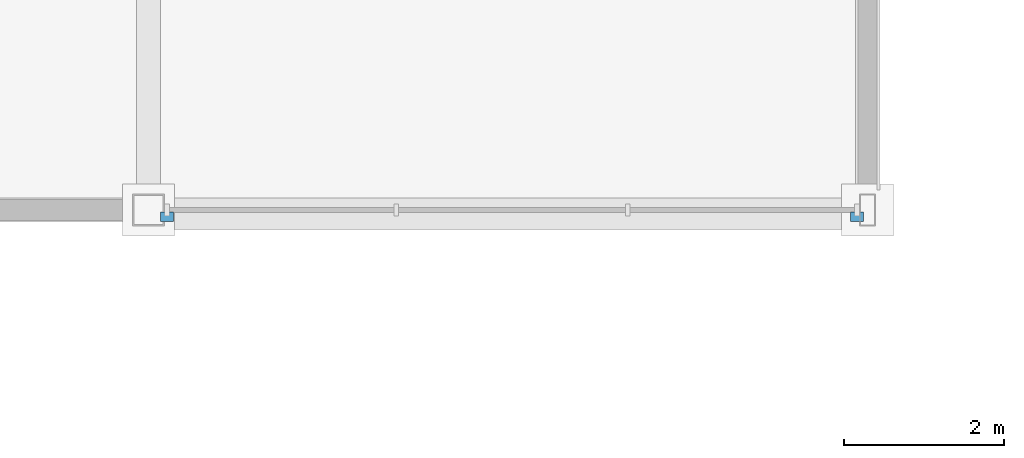
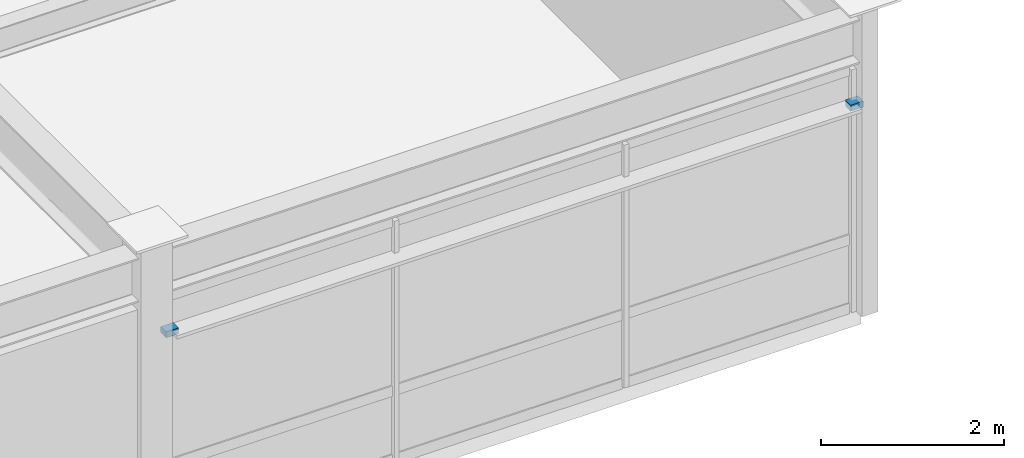
# One storey, part 54 of 70: 2 discrete accessories.
"""IFC4 building model written with IfcOpenShell, lengths in metres."""

import ifcopenshell
import ifcopenshell.guid

model = None  # the IFC model being written
_history = None  # IfcOwnerHistory: only IFC2X3 demands one
_inside = {}  # id of a spatial element -> (the spatial element, [elements in it])
_under = {}  # id of a project, library or spatial element -> (it, [spatial elements below it])
_declared = {}  # id of a project -> (the project, [libraries it declares])
_typed = {}  # id of a type object -> (the type object, [elements of that type])
_made_of = {}  # id of a material, layer set ... -> (it, [elements and type objects made of it])


def new_model(schema):
    """Start an empty IFC model of exactly this schema.

    Asked for "IFC4X3", IfcOpenShell would pick the latest addendum, in which some entities
    have other attributes; the version numbers below select the first issue.
    IFC2X3 requires an IfcOwnerHistory on every rooted entity: one is made here for all.
    """
    global model, _history
    if schema == "IFC4X3":
        model = ifcopenshell.file(schema_version=(4, 3, 0, 0))
    else:
        model = ifcopenshell.file(schema=schema)
    _inside.clear()
    _under.clear()
    _declared.clear()
    _typed.clear()
    _made_of.clear()
    _history = None
    if model.schema == "IFC2X3":
        org = make("IfcOrganization", Name="unknown")
        user = make(
            "IfcPersonAndOrganization",
            ThePerson=make("IfcPerson", FamilyName="unknown"),
            TheOrganization=org,
        )
        app = make(
            "IfcApplication",
            ApplicationDeveloper=org,
            Version="unknown",
            ApplicationFullName="unknown",
            ApplicationIdentifier="unknown",
        )
        _history = make(
            "IfcOwnerHistory",
            OwningUser=user,
            OwningApplication=app,
            ChangeAction="ADDED",
            CreationDate=0,
        )
    return model


def make(cls, **values):
    """One entity of the class cls with the attributes given. An attribute that is None is left unset."""
    return model.create_entity(
        cls, **{name: value for name, value in values.items() if value is not None}
    )


def rooted(cls, **values):
    """An entity with a GlobalId (a new one), such as an element, a storey or a relation."""
    return make(cls, GlobalId=ifcopenshell.guid.new(), OwnerHistory=_history, **values)


def si_unit(unit_type, name, prefix=None):
    """IfcSIUnit, for example si_unit("LENGTHUNIT", "METRE", prefix="MILLI")."""
    return make("IfcSIUnit", UnitType=unit_type, Prefix=prefix, Name=name)


def assignment(units):
    """IfcUnitAssignment: the units of a project."""
    return None if units is None else make("IfcUnitAssignment", Units=units)


def point(xyz):
    """IfcCartesianPoint."""
    return None if xyz is None else make("IfcCartesianPoint", Coordinates=xyz)


def direction(xyz):
    """IfcDirection."""
    return None if xyz is None else make("IfcDirection", DirectionRatios=xyz)


def frame(location, z_axis=None, x_axis=None):
    """IfcAxis2Placement3D, a coordinate frame: its origin and axes. An axis left out is left unset."""
    return make(
        "IfcAxis2Placement3D",
        Location=point(location),
        Axis=direction(z_axis),
        RefDirection=direction(x_axis),
    )


def frame_2d(location, x_axis=None):
    """IfcAxis2Placement2D, a coordinate frame in the plane: its origin and x axis."""
    return make(
        "IfcAxis2Placement2D", Location=point(location), RefDirection=direction(x_axis)
    )


def origin():
    """The frame at (0, 0, 0) with its axes left unset."""
    return frame((0.0, 0.0, 0.0))


def origin_2d():
    """The frame at (0, 0) in the plane with its x axis left unset."""
    return frame_2d((0.0, 0.0))


def place(relative_to, where):
    """IfcLocalPlacement: puts the frame where relative to a parent placement (None: the world)."""
    return make(
        "IfcLocalPlacement", PlacementRelTo=relative_to, RelativePlacement=where
    )


def context(
    kind, dimensions, precision=None, world=None, true_north=None, identifier=None
):
    """IfcGeometricRepresentationContext, for example the 3D "Model" context."""
    return make(
        "IfcGeometricRepresentationContext",
        ContextIdentifier=identifier,
        ContextType=kind,
        CoordinateSpaceDimension=dimensions,
        Precision=precision,
        WorldCoordinateSystem=world,
        TrueNorth=true_north,
    )


def subcontext(parent, identifier, kind, view, scale=None):
    """IfcGeometricRepresentationSubContext, for example "Body" below "Model"."""
    return make(
        "IfcGeometricRepresentationSubContext",
        ContextIdentifier=identifier,
        ContextType=kind,
        ParentContext=parent,
        TargetScale=scale,
        TargetView=view,
    )


def project(units=None, contexts=None):
    """IfcProject with its units and contexts."""
    return rooted(
        "IfcProject",
        Name="project",
        RepresentationContexts=contexts,
        UnitsInContext=assignment(units),
    )


def spatial(cls, under=None, at=None, **own):
    """A site, building, storey or space (cls), placed at a placement, below another one or the project."""
    s = rooted(cls, ObjectPlacement=at, **own)
    if under is not None:
        _under.setdefault(under.id(), (under, []))[1].append(s)
    return s


def profile(cls, at=None, kind="AREA", **sizes):
    """A parametric profile (cls). Its sizes go by their IFC names, for example OverallWidth=200.0."""
    return make(cls, ProfileType=kind, Position=at, **sizes)


def rectangle(**sizes):
    """IfcRectangleProfileDef."""
    return profile("IfcRectangleProfileDef", **sizes)


def extrude(swept, where, along, depth):
    """IfcExtrudedAreaSolid: the profile swept, set in the frame where, extruded along a direction by depth."""
    return make(
        "IfcExtrudedAreaSolid",
        SweptArea=swept,
        Position=where,
        ExtrudedDirection=direction(along),
        Depth=depth,
    )


def shape(context_of_items, identifier, shape_type, items):
    """IfcShapeRepresentation: the items that make up one representation, for example the "Body"."""
    return make(
        "IfcShapeRepresentation",
        ContextOfItems=context_of_items,
        RepresentationIdentifier=identifier,
        RepresentationType=shape_type,
        Items=items,
    )


def material(Name=None, Category=None):
    """IfcMaterial."""
    return make("IfcMaterial", Name=Name, Category=Category)


def made_of(thing, what):
    """Note that an element or type object is made of a material, layer set ...; save() writes the relation."""
    if what is not None:
        _made_of.setdefault(what.id(), (what, []))[1].append(thing)
    return thing


def type_object(cls, material=None, **own):
    """A type object (cls), such as IfcWallType, which elements share."""
    return made_of(rooted(cls, **own), material)


def element(
    cls,
    number,
    at=None,
    inside=None,
    cuts=None,
    type_object=None,
    material=None,
    context=None,
    identifier="Body",
    shape_type=None,
    held_by="IfcProductDefinitionShape",
    body=None,
    shapes=None,
    **own,
):
    """One element of the class cls, such as IfcWall. Its Tag is "e" and its number.

    at: its placement. inside: the storey or other place that contains it. cuts: it is an
    opening in that element (IfcRelVoidsElement). A single representation is given by context,
    identifier, shape_type and body (its items); several are given by shapes. held_by: the class
    of the entity that holds the representations. save() writes the other relations.
    """
    e = rooted(cls, Tag="e%d" % number, ObjectPlacement=at, **own)
    if body is not None:
        shapes = [shape(context, identifier, shape_type, body)]
    if shapes is not None:
        e.Representation = make(held_by, Representations=shapes)
    if inside is not None:
        _inside.setdefault(inside.id(), (inside, []))[1].append(e)
    if cuts is not None:
        rooted(
            "IfcRelVoidsElement", RelatingBuildingElement=cuts, RelatedOpeningElement=e
        )
    if type_object is not None:
        _typed.setdefault(type_object.id(), (type_object, []))[1].append(e)
    return made_of(e, material)


def aggregate(whole, parts):
    """IfcRelAggregates: a whole, such as a stair, and the parts it consists of."""
    return rooted("IfcRelAggregates", RelatingObject=whole, RelatedObjects=parts)


def save(model, path):
    """Write the relations noted so far, then the file.

    IfcRelAggregates (storeys below a building ...), IfcRelContainedInSpatialStructure (elements
    in a storey), IfcRelDefinesByType, IfcRelAssociatesMaterial and IfcRelDeclares: one each for
    every whole, place, type object, material and project.
    """
    for whole, parts in _under.values():
        aggregate(whole, parts)
    for where, things in _inside.values():
        rooted(
            "IfcRelContainedInSpatialStructure",
            RelatedElements=things,
            RelatingStructure=where,
        )
    for kind, things in _typed.values():
        rooted("IfcRelDefinesByType", RelatedObjects=things, RelatingType=kind)
    for what, things in _made_of.values():
        rooted("IfcRelAssociatesMaterial", RelatedObjects=things, RelatingMaterial=what)
    for by, libraries in _declared.values():
        rooted("IfcRelDeclares", RelatingContext=by, RelatedDefinitions=libraries)
    model.write(path)


model = new_model("IFC4")

# Units and contexts
model_context = context("Model", 3, precision=1e-05, world=origin(), true_north=direction((0.0, 1.0)))
body_context = subcontext(model_context, "Body", "Model", "MODEL_VIEW")
ifc_project = project(units=[si_unit("LENGTHUNIT", "METRE"), si_unit("AREAUNIT", "SQUARE_METRE"), si_unit("VOLUMEUNIT", "CUBIC_METRE"), si_unit("PLANEANGLEUNIT", "RADIAN"), si_unit("MASSUNIT", "GRAM", prefix="KILO")], contexts=[model_context])

# Site, building, storey
site_placement = place(None, origin())
site = spatial("IfcSite", under=ifc_project, at=site_placement, CompositionType="ELEMENT")
building_placement = place(site_placement, origin())
building = spatial("IfcBuilding", under=site, at=building_placement, Name="Suzunagisa Mobility Hub", CompositionType="ELEMENT")
storey_placement = place(building_placement, frame((0.0, 0.0, 13.5)))
storey = spatial("IfcBuildingStorey", under=building, at=storey_placement, Name="L03", CompositionType="ELEMENT", Elevation=13.5)

# Discrete accessories
ifc_material = material(Name="Stainless Steel SUS316", Category="metal")
discrete_accessory_type = type_object("IfcDiscreteAccessoryType", Name="Stainless Sunshade Outrigger Bracket BRK-01", PredefinedType="BRACKET", material=ifc_material)
for number, where, z_axis, x_axis, name in (
    (1, (117.22998046875, 79.9150390625, 2.75), (0.0, 0.0, 1.0), (1.0, 0.0, 0.0), "Sunshade Outrigger Bracket BRK-25.1"),
    (2, (125.8701171875, 79.9150390625, 2.75), (0.0, 0.0, 1.0), (1.0, 0.0, 0.0), "Sunshade Outrigger Bracket BRK-25.2"),
):
    element("IfcDiscreteAccessory", number, at=place(storey_placement, frame(where, z_axis=z_axis, x_axis=x_axis)), inside=storey, type_object=discrete_accessory_type, Name=name, PredefinedType="BRACKET", context=body_context, shape_type="SweptSolid", body=[
        extrude(rectangle(XDim=0.159912109375, YDim=0.1201171875, at=origin_2d()), origin(), (0.0, 0.0, 1.0), 0.080078125),
    ])

save(model, "model.ifc")
